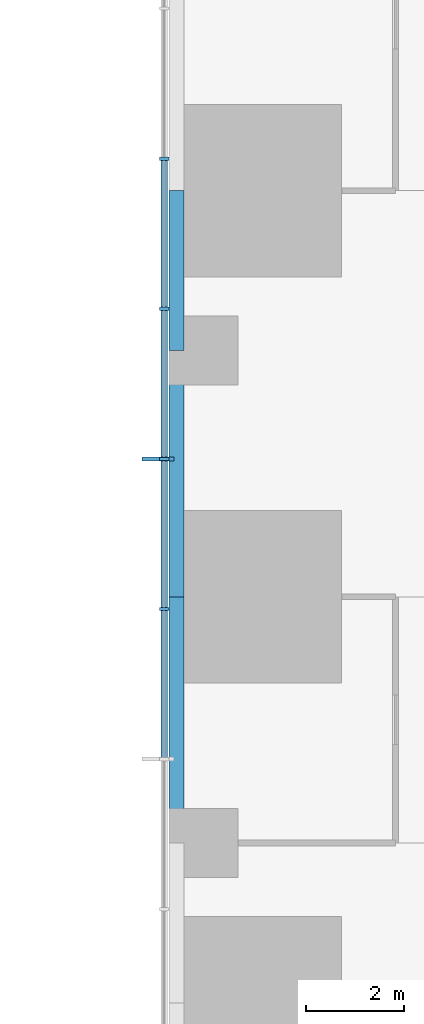
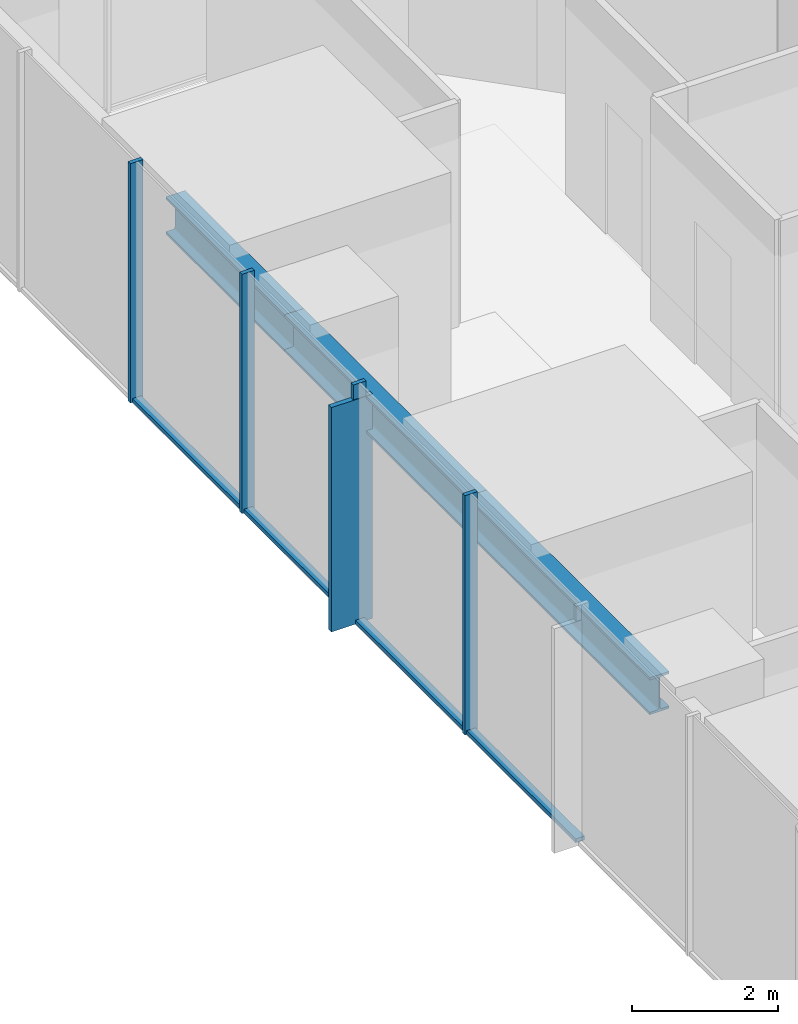
# One storey, part 3 of 17: 9 members, 3 beams, 1 element without a shape of its own.
"""IFC4 building model written with IfcOpenShell, lengths in metres."""

import ifcopenshell
import ifcopenshell.guid

model = None  # the IFC model being written
_history = None  # IfcOwnerHistory: only IFC2X3 demands one
_inside = {}  # id of a spatial element -> (the spatial element, [elements in it])
_under = {}  # id of a project, library or spatial element -> (it, [spatial elements below it])
_declared = {}  # id of a project -> (the project, [libraries it declares])
_typed = {}  # id of a type object -> (the type object, [elements of that type])
_made_of = {}  # id of a material, layer set ... -> (it, [elements and type objects made of it])


def new_model(schema):
    """Start an empty IFC model of exactly this schema.

    Asked for "IFC4X3", IfcOpenShell would pick the latest addendum, in which some entities
    have other attributes; the version numbers below select the first issue.
    IFC2X3 requires an IfcOwnerHistory on every rooted entity: one is made here for all.
    """
    global model, _history
    if schema == "IFC4X3":
        model = ifcopenshell.file(schema_version=(4, 3, 0, 0))
    else:
        model = ifcopenshell.file(schema=schema)
    _inside.clear()
    _under.clear()
    _declared.clear()
    _typed.clear()
    _made_of.clear()
    _history = None
    if model.schema == "IFC2X3":
        org = make("IfcOrganization", Name="unknown")
        user = make(
            "IfcPersonAndOrganization",
            ThePerson=make("IfcPerson", FamilyName="unknown"),
            TheOrganization=org,
        )
        app = make(
            "IfcApplication",
            ApplicationDeveloper=org,
            Version="unknown",
            ApplicationFullName="unknown",
            ApplicationIdentifier="unknown",
        )
        _history = make(
            "IfcOwnerHistory",
            OwningUser=user,
            OwningApplication=app,
            ChangeAction="ADDED",
            CreationDate=0,
        )
    return model


def make(cls, **values):
    """One entity of the class cls with the attributes given. An attribute that is None is left unset."""
    return model.create_entity(
        cls, **{name: value for name, value in values.items() if value is not None}
    )


def rooted(cls, **values):
    """An entity with a GlobalId (a new one), such as an element, a storey or a relation."""
    return make(cls, GlobalId=ifcopenshell.guid.new(), OwnerHistory=_history, **values)


def si_unit(unit_type, name, prefix=None):
    """IfcSIUnit, for example si_unit("LENGTHUNIT", "METRE", prefix="MILLI")."""
    return make("IfcSIUnit", UnitType=unit_type, Prefix=prefix, Name=name)


def assignment(units):
    """IfcUnitAssignment: the units of a project."""
    return None if units is None else make("IfcUnitAssignment", Units=units)


def point(xyz):
    """IfcCartesianPoint."""
    return None if xyz is None else make("IfcCartesianPoint", Coordinates=xyz)


def direction(xyz):
    """IfcDirection."""
    return None if xyz is None else make("IfcDirection", DirectionRatios=xyz)


def frame(location, z_axis=None, x_axis=None):
    """IfcAxis2Placement3D, a coordinate frame: its origin and axes. An axis left out is left unset."""
    return make(
        "IfcAxis2Placement3D",
        Location=point(location),
        Axis=direction(z_axis),
        RefDirection=direction(x_axis),
    )


def frame_2d(location, x_axis=None):
    """IfcAxis2Placement2D, a coordinate frame in the plane: its origin and x axis."""
    return make(
        "IfcAxis2Placement2D", Location=point(location), RefDirection=direction(x_axis)
    )


def origin():
    """The frame at (0, 0, 0) with its axes left unset."""
    return frame((0.0, 0.0, 0.0))


def origin_2d():
    """The frame at (0, 0) in the plane with its x axis left unset."""
    return frame_2d((0.0, 0.0))


def place(relative_to, where):
    """IfcLocalPlacement: puts the frame where relative to a parent placement (None: the world)."""
    return make(
        "IfcLocalPlacement", PlacementRelTo=relative_to, RelativePlacement=where
    )


def context(
    kind, dimensions, precision=None, world=None, true_north=None, identifier=None
):
    """IfcGeometricRepresentationContext, for example the 3D "Model" context."""
    return make(
        "IfcGeometricRepresentationContext",
        ContextIdentifier=identifier,
        ContextType=kind,
        CoordinateSpaceDimension=dimensions,
        Precision=precision,
        WorldCoordinateSystem=world,
        TrueNorth=true_north,
    )


def subcontext(parent, identifier, kind, view, scale=None):
    """IfcGeometricRepresentationSubContext, for example "Body" below "Model"."""
    return make(
        "IfcGeometricRepresentationSubContext",
        ContextIdentifier=identifier,
        ContextType=kind,
        ParentContext=parent,
        TargetScale=scale,
        TargetView=view,
    )


def project(units=None, contexts=None):
    """IfcProject with its units and contexts."""
    return rooted(
        "IfcProject",
        Name="project",
        RepresentationContexts=contexts,
        UnitsInContext=assignment(units),
    )


def spatial(cls, under=None, at=None, **own):
    """A site, building, storey or space (cls), placed at a placement, below another one or the project."""
    s = rooted(cls, ObjectPlacement=at, **own)
    if under is not None:
        _under.setdefault(under.id(), (under, []))[1].append(s)
    return s


def profile(cls, at=None, kind="AREA", **sizes):
    """A parametric profile (cls). Its sizes go by their IFC names, for example OverallWidth=200.0."""
    return make(cls, ProfileType=kind, Position=at, **sizes)


def rectangle(**sizes):
    """IfcRectangleProfileDef."""
    return profile("IfcRectangleProfileDef", **sizes)


def i_section(**sizes):
    """IfcIShapeProfileDef."""
    return profile("IfcIShapeProfileDef", **sizes)


def extrude(swept, where, along, depth):
    """IfcExtrudedAreaSolid: the profile swept, set in the frame where, extruded along a direction by depth."""
    return make(
        "IfcExtrudedAreaSolid",
        SweptArea=swept,
        Position=where,
        ExtrudedDirection=direction(along),
        Depth=depth,
    )


def shape(context_of_items, identifier, shape_type, items):
    """IfcShapeRepresentation: the items that make up one representation, for example the "Body"."""
    return make(
        "IfcShapeRepresentation",
        ContextOfItems=context_of_items,
        RepresentationIdentifier=identifier,
        RepresentationType=shape_type,
        Items=items,
    )


def material(Name=None, Category=None):
    """IfcMaterial."""
    return make("IfcMaterial", Name=Name, Category=Category)


def material_profile(
    of_material, cross_section, Name=None, Category=None, Priority=None
):
    """IfcMaterialProfile: a cross section and its material."""
    return make(
        "IfcMaterialProfile",
        Name=Name,
        Material=of_material,
        Profile=cross_section,
        Priority=Priority,
        Category=Category,
    )


def profile_set(profiles, Name=None, composite=None):
    """IfcMaterialProfileSet."""
    return make(
        "IfcMaterialProfileSet",
        Name=Name,
        MaterialProfiles=profiles,
        CompositeProfile=composite,
    )


def made_of(thing, what):
    """Note that an element or type object is made of a material, layer set ...; save() writes the relation."""
    if what is not None:
        _made_of.setdefault(what.id(), (what, []))[1].append(thing)
    return thing


def type_object(cls, material=None, **own):
    """A type object (cls), such as IfcWallType, which elements share."""
    return made_of(rooted(cls, **own), material)


def element(
    cls,
    number,
    at=None,
    inside=None,
    cuts=None,
    type_object=None,
    material=None,
    context=None,
    identifier="Body",
    shape_type=None,
    held_by="IfcProductDefinitionShape",
    body=None,
    shapes=None,
    **own,
):
    """One element of the class cls, such as IfcWall. Its Tag is "e" and its number.

    at: its placement. inside: the storey or other place that contains it. cuts: it is an
    opening in that element (IfcRelVoidsElement). A single representation is given by context,
    identifier, shape_type and body (its items); several are given by shapes. held_by: the class
    of the entity that holds the representations. save() writes the other relations.
    """
    e = rooted(cls, Tag="e%d" % number, ObjectPlacement=at, **own)
    if body is not None:
        shapes = [shape(context, identifier, shape_type, body)]
    if shapes is not None:
        e.Representation = make(held_by, Representations=shapes)
    if inside is not None:
        _inside.setdefault(inside.id(), (inside, []))[1].append(e)
    if cuts is not None:
        rooted(
            "IfcRelVoidsElement", RelatingBuildingElement=cuts, RelatedOpeningElement=e
        )
    if type_object is not None:
        _typed.setdefault(type_object.id(), (type_object, []))[1].append(e)
    return made_of(e, material)


def aggregate(whole, parts):
    """IfcRelAggregates: a whole, such as a stair, and the parts it consists of."""
    return rooted("IfcRelAggregates", RelatingObject=whole, RelatedObjects=parts)


def save(model, path):
    """Write the relations noted so far, then the file.

    IfcRelAggregates (storeys below a building ...), IfcRelContainedInSpatialStructure (elements
    in a storey), IfcRelDefinesByType, IfcRelAssociatesMaterial and IfcRelDeclares: one each for
    every whole, place, type object, material and project.
    """
    for whole, parts in _under.values():
        aggregate(whole, parts)
    for where, things in _inside.values():
        rooted(
            "IfcRelContainedInSpatialStructure",
            RelatedElements=things,
            RelatingStructure=where,
        )
    for kind, things in _typed.values():
        rooted("IfcRelDefinesByType", RelatedObjects=things, RelatingType=kind)
    for what, things in _made_of.values():
        rooted("IfcRelAssociatesMaterial", RelatedObjects=things, RelatingMaterial=what)
    for by, libraries in _declared.values():
        rooted("IfcRelDeclares", RelatingContext=by, RelatedDefinitions=libraries)
    model.write(path)


model = new_model("IFC4")

# Units and contexts
model_context = context("Model", 3, precision=1e-05, world=origin(), true_north=direction((0.0, 1.0)))
body_context = subcontext(model_context, "Body", "Model", "MODEL_VIEW")
ifc_project = project(units=[si_unit("LENGTHUNIT", "METRE"), si_unit("AREAUNIT", "SQUARE_METRE"), si_unit("VOLUMEUNIT", "CUBIC_METRE"), si_unit("PLANEANGLEUNIT", "RADIAN"), si_unit("MASSUNIT", "GRAM", prefix="KILO")], contexts=[model_context])

# Site, building, storey
site_placement = place(None, origin())
site = spatial("IfcSite", under=ifc_project, at=site_placement, CompositionType="ELEMENT")
building_placement = place(site_placement, origin())
building = spatial("IfcBuilding", under=site, at=building_placement, Name="Svetlomir Tower", CompositionType="ELEMENT")
storey_placement = place(building_placement, frame((0.0, 0.0, 30.5)))
storey = spatial("IfcBuildingStorey", under=building, at=storey_placement, Name="L06", CompositionType="ELEMENT", Elevation=30.5)

# Curtain wall, members
ifc_material_1 = material(Name="Bronze anodised aluminium curtain wall", Category="aluminium")
curtain_wall_type = type_object("IfcCurtainWallType", Name="CURTAIN WALL CW1 TOWER OFFICE", PredefinedType="NOTDEFINED", material=ifc_material_1)
curtain_wall_placement = place(storey_placement, origin())
curtain_wall = element("IfcCurtainWall", 1, at=curtain_wall_placement, inside=storey, type_object=curtain_wall_type, Name="Curtain wall CW1 L06", PredefinedType="NOTDEFINED")
ifc_material_2 = material(Name="Bronze anodised aluminium", Category="aluminium")
ifc_material_profile_1 = material_profile(ifc_material_2, rectangle(XDim=0.080078125, YDim=0.64990234375, at=origin_2d()), Name="FIN 80x650")
ifc_profile_set_1 = profile_set([ifc_material_profile_1], Name="Bronze anodised aluminium 6063-T6")
member_type_1 = type_object("IfcMemberType", Name="BRONZE FIN 80x650", PredefinedType="USERDEFINED", material=ifc_profile_set_1)
member_1_placement = place(storey_placement, frame((-0.22509765625, 23.800048828125, 0.0), z_axis=(0.0, 0.0, 1.0), x_axis=(0.0, 1.0, 0.0)))
member_1 = element("IfcMember", 2, at=member_1_placement, type_object=member_type_1, Name="Bronze fin L06", ObjectType="FIN", PredefinedType="USERDEFINED", context=body_context, shape_type="SweptSolid", body=[
    extrude(rectangle(XDim=0.080078125, YDim=0.64990234375, at=origin_2d()), origin(), (0.0, 0.0, 1.0), 3.75),
])
ifc_material_3 = material(Name="Bronze anodised aluminium", Category="aluminium")
ifc_material_profile_2 = material_profile(ifc_material_3, rectangle(XDim=0.06494140625, YDim=0.199951171875, at=origin_2d()), Name="AL 65x200")
ifc_profile_set_2 = profile_set([ifc_material_profile_2], Name="Bronze anodised aluminium 6063-T6")
member_type_2 = type_object("IfcMemberType", Name="CW1 MULLION 65x200", PredefinedType="MULLION", material=ifc_profile_set_2)
member_2_placement = place(storey_placement, frame((-0.10009765625, 29.89990234375, 0.0), z_axis=(0.0, 0.0, 1.0), x_axis=(0.0, -1.0, 0.0)))
member_2 = element("IfcMember", 3, at=member_2_placement, type_object=member_type_2, Name="CW1 mullion 3", PredefinedType="MULLION", context=body_context, shape_type="SweptSolid", body=[
    extrude(rectangle(XDim=0.06494140625, YDim=0.199951171875, at=origin_2d()), origin(), (0.0, 0.0, 1.0), 4.0),
])
member_3_placement = place(storey_placement, frame((-0.10009765625, 26.85009765625, 0.0), z_axis=(0.0, 0.0, 1.0), x_axis=(0.0, -1.0, 0.0)))
member_3 = element("IfcMember", 4, at=member_3_placement, type_object=member_type_2, Name="CW1 mullion 4", PredefinedType="MULLION", context=body_context, shape_type="SweptSolid", body=[
    extrude(rectangle(XDim=0.06494140625, YDim=0.199951171875, at=origin_2d()), origin(), (0.0, 0.0, 1.0), 4.0),
])
member_4_placement = place(storey_placement, frame((-0.10009765625, 23.800048828125, 0.0), z_axis=(0.0, 0.0, 1.0), x_axis=(0.0, -1.0, 0.0)))
member_4 = element("IfcMember", 5, at=member_4_placement, type_object=member_type_2, Name="CW1 mullion 5", PredefinedType="MULLION", context=body_context, shape_type="SweptSolid", body=[
    extrude(rectangle(XDim=0.06494140625, YDim=0.199951171875, at=origin_2d()), origin(), (0.0, 0.0, 1.0), 4.0),
])
member_5_placement = place(storey_placement, frame((-0.10009765625, 20.75, 0.0), z_axis=(0.0, 0.0, 1.0), x_axis=(0.0, -1.0, 0.0)))
member_5 = element("IfcMember", 6, at=member_5_placement, type_object=member_type_2, Name="CW1 mullion 6", PredefinedType="MULLION", context=body_context, shape_type="SweptSolid", body=[
    extrude(rectangle(XDim=0.06494140625, YDim=0.199951171875, at=origin_2d()), origin(), (0.0, 0.0, 1.0), 4.0),
])
ifc_material_4 = material(Name="Bronze anodised aluminium", Category="aluminium")
ifc_material_profile_3 = material_profile(ifc_material_4, rectangle(XDim=0.139892578125, YDim=0.06494140625, at=origin_2d()), Name="AL 140x65")
ifc_profile_set_3 = profile_set([ifc_material_profile_3], Name="Bronze anodised aluminium 6063-T6")
member_type_3 = type_object("IfcMemberType", Name="CW1 TRANSOM 65x140", PredefinedType="USERDEFINED", material=ifc_profile_set_3)
member_6_placement = place(storey_placement, frame((-0.10009765625, 29.867431640625, 0.032470703125), z_axis=(0.0, -1.0, 0.0), x_axis=(1.0, 0.0, 0.0)))
member_6 = element("IfcMember", 7, at=member_6_placement, type_object=member_type_3, Name="CW1 transom 3.1", ObjectType="TRANSOM", PredefinedType="USERDEFINED", context=body_context, shape_type="SweptSolid", body=[
    extrude(rectangle(XDim=0.139892578125, YDim=0.06494140625, at=origin_2d()), origin(), (0.0, 0.0, 1.0), 2.98486328125),
])
member_7_placement = place(storey_placement, frame((-0.10009765625, 26.8173828125, 0.032470703125), z_axis=(0.0, -1.0, 0.0), x_axis=(1.0, 0.0, 0.0)))
member_7 = element("IfcMember", 8, at=member_7_placement, type_object=member_type_3, Name="CW1 transom 4.1", ObjectType="TRANSOM", PredefinedType="USERDEFINED", context=body_context, shape_type="SweptSolid", body=[
    extrude(rectangle(XDim=0.139892578125, YDim=0.06494140625, at=origin_2d()), origin(), (0.0, 0.0, 1.0), 2.98486328125),
])
member_8_placement = place(storey_placement, frame((-0.10009765625, 23.767578125, 0.032470703125), z_axis=(0.0, -1.0, 0.0), x_axis=(1.0, 0.0, 0.0)))
member_8 = element("IfcMember", 9, at=member_8_placement, type_object=member_type_3, Name="CW1 transom 5.1", ObjectType="TRANSOM", PredefinedType="USERDEFINED", context=body_context, shape_type="SweptSolid", body=[
    extrude(rectangle(XDim=0.139892578125, YDim=0.06494140625, at=origin_2d()), origin(), (0.0, 0.0, 1.0), 2.985107421875),
])
member_9_placement = place(storey_placement, frame((-0.10009765625, 20.717529296875, 0.032470703125), z_axis=(0.0, -1.0, 0.0), x_axis=(1.0, 0.0, 0.0)))
member_9 = element("IfcMember", 10, at=member_9_placement, type_object=member_type_3, Name="CW1 transom 6.1", ObjectType="TRANSOM", PredefinedType="USERDEFINED", context=body_context, shape_type="SweptSolid", body=[
    extrude(rectangle(XDim=0.139892578125, YDim=0.06494140625, at=origin_2d()), origin(), (0.0, 0.0, 1.0), 2.985107421875),
])
aggregate(curtain_wall, [member_2, member_3, member_4, member_5, member_6, member_7, member_8, member_9, member_1])

# Beams
ifc_material_5 = material(Name="Steel S355", Category="steel")
ifc_material_profile_4 = material_profile(ifc_material_5, i_section(OverallWidth=0.304931640625, OverallDepth=0.6201171875, WebThickness=0.02099609375, FlangeThickness=0.0400390625, FilletRadius=0.027099609375, at=origin_2d()), Name="HEM 600")
ifc_profile_set_4 = profile_set([ifc_material_profile_4], Name="Steel S355")
beam_type = type_object("IfcBeamType", Name="EDGE BEAM HEM 600", PredefinedType="SPANDREL", material=ifc_profile_set_4)
for number, where, z_axis, x_axis, name in (
    (11, (0.152587890625, 16.0, 3.43994140625), (0.0, 1.0, 0.0), (-1.0, 0.0, 0.0), "Edge beam 0/16 to 0/21 under L07"),
    (12, (0.152587890625, 21.0, 3.43994140625), (0.0, 1.0, 0.0), (-1.0, 0.0, 0.0), "Edge beam 0/21 to 0/26 under L07"),
):
    element("IfcBeam", number, at=place(storey_placement, frame(where, z_axis=z_axis, x_axis=x_axis)), inside=storey, type_object=beam_type, Name=name, PredefinedType="SPANDREL", context=body_context, shape_type="SweptSolid", body=[
        extrude(i_section(OverallWidth=0.304931640625, OverallDepth=0.6201171875, WebThickness=0.02099609375, FlangeThickness=0.0400390625, FilletRadius=0.027099609375, at=origin_2d()), origin(), (0.0, 0.0, 1.0), 5.0),
    ])
beam_placement = place(storey_placement, frame((0.152587890625, 26.0, 3.43994140625), z_axis=(0.0, 1.0, 0.0), x_axis=(-1.0, 0.0, 0.0)))
element("IfcBeam", 13, at=beam_placement, inside=storey, type_object=beam_type, Name="Edge beam 0/26 to 0/31 under L07", PredefinedType="SPANDREL", context=body_context, shape_type="SweptSolid", body=[
    extrude(i_section(OverallWidth=0.304931640625, OverallDepth=0.6201171875, WebThickness=0.02099609375, FlangeThickness=0.0400390625, FilletRadius=0.027099609375, at=origin_2d()), origin(), (0.0, 0.0, 1.0), 3.25),
])

save(model, "model.ifc")
